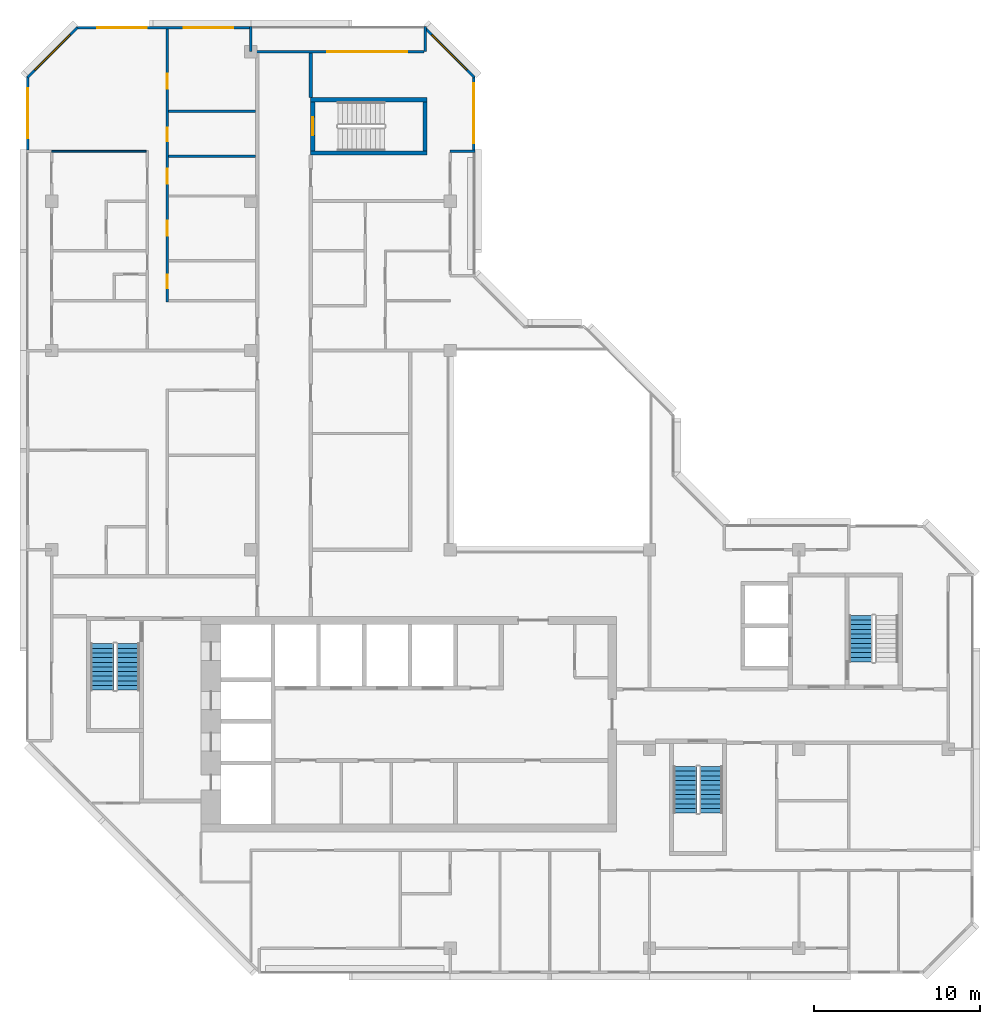
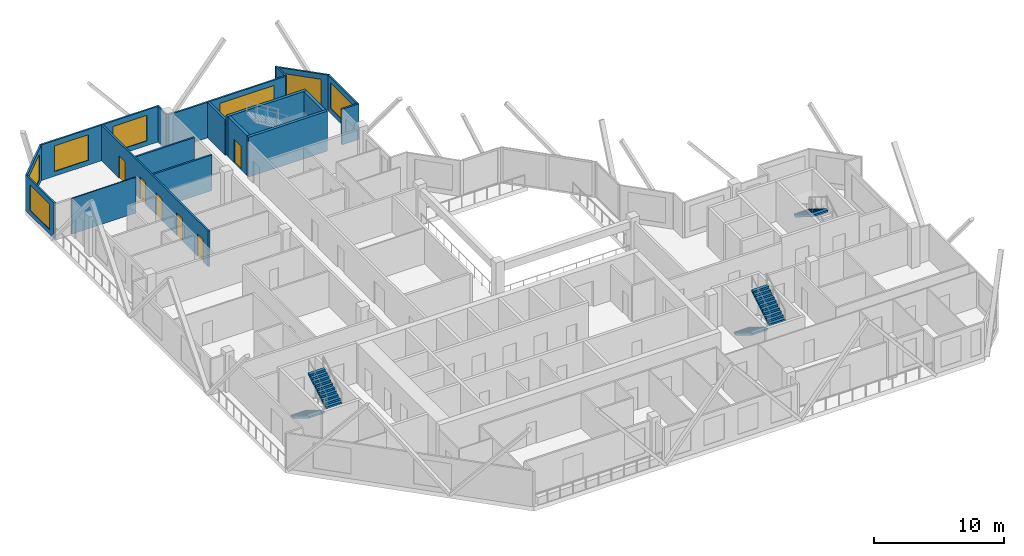
# One storey, part 9 of 12: 18 walls, 7 windows, 6 doors, 5 stair flights, 13 openings, 3 elements without a shape of their own.
"""IFC4 building model written with IfcOpenShell, lengths in metres."""

import ifcopenshell
import ifcopenshell.guid

model = None  # the IFC model being written
_history = None  # IfcOwnerHistory: only IFC2X3 demands one
_inside = {}  # id of a spatial element -> (the spatial element, [elements in it])
_under = {}  # id of a project, library or spatial element -> (it, [spatial elements below it])
_declared = {}  # id of a project -> (the project, [libraries it declares])
_typed = {}  # id of a type object -> (the type object, [elements of that type])
_made_of = {}  # id of a material, layer set ... -> (it, [elements and type objects made of it])


def new_model(schema):
    """Start an empty IFC model of exactly this schema.

    Asked for "IFC4X3", IfcOpenShell would pick the latest addendum, in which some entities
    have other attributes; the version numbers below select the first issue.
    IFC2X3 requires an IfcOwnerHistory on every rooted entity: one is made here for all.
    """
    global model, _history
    if schema == "IFC4X3":
        model = ifcopenshell.file(schema_version=(4, 3, 0, 0))
    else:
        model = ifcopenshell.file(schema=schema)
    _inside.clear()
    _under.clear()
    _declared.clear()
    _typed.clear()
    _made_of.clear()
    _history = None
    if model.schema == "IFC2X3":
        org = make("IfcOrganization", Name="unknown")
        user = make(
            "IfcPersonAndOrganization",
            ThePerson=make("IfcPerson", FamilyName="unknown"),
            TheOrganization=org,
        )
        app = make(
            "IfcApplication",
            ApplicationDeveloper=org,
            Version="unknown",
            ApplicationFullName="unknown",
            ApplicationIdentifier="unknown",
        )
        _history = make(
            "IfcOwnerHistory",
            OwningUser=user,
            OwningApplication=app,
            ChangeAction="ADDED",
            CreationDate=0,
        )
    return model


def make(cls, **values):
    """One entity of the class cls with the attributes given. An attribute that is None is left unset."""
    return model.create_entity(
        cls, **{name: value for name, value in values.items() if value is not None}
    )


def rooted(cls, **values):
    """An entity with a GlobalId (a new one), such as an element, a storey or a relation."""
    return make(cls, GlobalId=ifcopenshell.guid.new(), OwnerHistory=_history, **values)


def si_unit(unit_type, name, prefix=None):
    """IfcSIUnit, for example si_unit("LENGTHUNIT", "METRE", prefix="MILLI")."""
    return make("IfcSIUnit", UnitType=unit_type, Prefix=prefix, Name=name)


def assignment(units):
    """IfcUnitAssignment: the units of a project."""
    return None if units is None else make("IfcUnitAssignment", Units=units)


def point(xyz):
    """IfcCartesianPoint."""
    return None if xyz is None else make("IfcCartesianPoint", Coordinates=xyz)


def direction(xyz):
    """IfcDirection."""
    return None if xyz is None else make("IfcDirection", DirectionRatios=xyz)


def frame(location, z_axis=None, x_axis=None):
    """IfcAxis2Placement3D, a coordinate frame: its origin and axes. An axis left out is left unset."""
    return make(
        "IfcAxis2Placement3D",
        Location=point(location),
        Axis=direction(z_axis),
        RefDirection=direction(x_axis),
    )


def frame_2d(location, x_axis=None):
    """IfcAxis2Placement2D, a coordinate frame in the plane: its origin and x axis."""
    return make(
        "IfcAxis2Placement2D", Location=point(location), RefDirection=direction(x_axis)
    )


def origin():
    """The frame at (0, 0, 0) with its axes left unset."""
    return frame((0.0, 0.0, 0.0))


def place(relative_to, where):
    """IfcLocalPlacement: puts the frame where relative to a parent placement (None: the world)."""
    return make(
        "IfcLocalPlacement", PlacementRelTo=relative_to, RelativePlacement=where
    )


def context(
    kind, dimensions, precision=None, world=None, true_north=None, identifier=None
):
    """IfcGeometricRepresentationContext, for example the 3D "Model" context."""
    return make(
        "IfcGeometricRepresentationContext",
        ContextIdentifier=identifier,
        ContextType=kind,
        CoordinateSpaceDimension=dimensions,
        Precision=precision,
        WorldCoordinateSystem=world,
        TrueNorth=true_north,
    )


def subcontext(parent, identifier, kind, view, scale=None):
    """IfcGeometricRepresentationSubContext, for example "Body" below "Model"."""
    return make(
        "IfcGeometricRepresentationSubContext",
        ContextIdentifier=identifier,
        ContextType=kind,
        ParentContext=parent,
        TargetScale=scale,
        TargetView=view,
    )


def project(units=None, contexts=None):
    """IfcProject with its units and contexts."""
    return rooted(
        "IfcProject",
        Name="project",
        RepresentationContexts=contexts,
        UnitsInContext=assignment(units),
    )


def spatial(cls, under=None, at=None, **own):
    """A site, building, storey or space (cls), placed at a placement, below another one or the project."""
    s = rooted(cls, ObjectPlacement=at, **own)
    if under is not None:
        _under.setdefault(under.id(), (under, []))[1].append(s)
    return s


def polyline(points):
    """IfcPolyline through the points."""
    return make("IfcPolyline", Points=[point(p) for p in points])


def profile(cls, at=None, kind="AREA", **sizes):
    """A parametric profile (cls). Its sizes go by their IFC names, for example OverallWidth=200.0."""
    return make(cls, ProfileType=kind, Position=at, **sizes)


def rectangle(**sizes):
    """IfcRectangleProfileDef."""
    return profile("IfcRectangleProfileDef", **sizes)


def outline(outer, holes=None, kind="AREA"):
    """IfcArbitraryClosedProfileDef: a profile drawn as a closed curve; with holes, ...WithVoids."""
    if holes is None:
        return make("IfcArbitraryClosedProfileDef", ProfileType=kind, OuterCurve=outer)
    return make(
        "IfcArbitraryProfileDefWithVoids",
        ProfileType=kind,
        OuterCurve=outer,
        InnerCurves=holes,
    )


def extrude(swept, where, along, depth):
    """IfcExtrudedAreaSolid: the profile swept, set in the frame where, extruded along a direction by depth."""
    return make(
        "IfcExtrudedAreaSolid",
        SweptArea=swept,
        Position=where,
        ExtrudedDirection=direction(along),
        Depth=depth,
    )


def shape(context_of_items, identifier, shape_type, items):
    """IfcShapeRepresentation: the items that make up one representation, for example the "Body"."""
    return make(
        "IfcShapeRepresentation",
        ContextOfItems=context_of_items,
        RepresentationIdentifier=identifier,
        RepresentationType=shape_type,
        Items=items,
    )


def material(Name=None, Category=None):
    """IfcMaterial."""
    return make("IfcMaterial", Name=Name, Category=Category)


def layer(
    of_material, thickness, ventilated=None, Name=None, Category=None, Priority=None
):
    """IfcMaterialLayer: one layer of a wall or slab, of a material (None: an air gap)."""
    return make(
        "IfcMaterialLayer",
        Material=of_material,
        LayerThickness=thickness,
        IsVentilated=ventilated,
        Name=Name,
        Category=Category,
        Priority=Priority,
    )


def layer_set(layers, Name=None):
    """IfcMaterialLayerSet."""
    return make("IfcMaterialLayerSet", MaterialLayers=layers, LayerSetName=Name)


def made_of(thing, what):
    """Note that an element or type object is made of a material, layer set ...; save() writes the relation."""
    if what is not None:
        _made_of.setdefault(what.id(), (what, []))[1].append(thing)
    return thing


def type_object(cls, material=None, **own):
    """A type object (cls), such as IfcWallType, which elements share."""
    return made_of(rooted(cls, **own), material)


def element(
    cls,
    number,
    at=None,
    inside=None,
    cuts=None,
    type_object=None,
    material=None,
    context=None,
    identifier="Body",
    shape_type=None,
    held_by="IfcProductDefinitionShape",
    body=None,
    shapes=None,
    **own,
):
    """One element of the class cls, such as IfcWall. Its Tag is "e" and its number.

    at: its placement. inside: the storey or other place that contains it. cuts: it is an
    opening in that element (IfcRelVoidsElement). A single representation is given by context,
    identifier, shape_type and body (its items); several are given by shapes. held_by: the class
    of the entity that holds the representations. save() writes the other relations.
    """
    e = rooted(cls, Tag="e%d" % number, ObjectPlacement=at, **own)
    if body is not None:
        shapes = [shape(context, identifier, shape_type, body)]
    if shapes is not None:
        e.Representation = make(held_by, Representations=shapes)
    if inside is not None:
        _inside.setdefault(inside.id(), (inside, []))[1].append(e)
    if cuts is not None:
        rooted(
            "IfcRelVoidsElement", RelatingBuildingElement=cuts, RelatedOpeningElement=e
        )
    if type_object is not None:
        _typed.setdefault(type_object.id(), (type_object, []))[1].append(e)
    return made_of(e, material)


def fill(opening, filler):
    """IfcRelFillsElement: the door or window that sits in an opening."""
    return rooted(
        "IfcRelFillsElement",
        RelatingOpeningElement=opening,
        RelatedBuildingElement=filler,
    )


def aggregate(whole, parts):
    """IfcRelAggregates: a whole, such as a stair, and the parts it consists of."""
    return rooted("IfcRelAggregates", RelatingObject=whole, RelatedObjects=parts)


def save(model, path):
    """Write the relations noted so far, then the file.

    IfcRelAggregates (storeys below a building ...), IfcRelContainedInSpatialStructure (elements
    in a storey), IfcRelDefinesByType, IfcRelAssociatesMaterial and IfcRelDeclares: one each for
    every whole, place, type object, material and project.
    """
    for whole, parts in _under.values():
        aggregate(whole, parts)
    for where, things in _inside.values():
        rooted(
            "IfcRelContainedInSpatialStructure",
            RelatedElements=things,
            RelatingStructure=where,
        )
    for kind, things in _typed.values():
        rooted("IfcRelDefinesByType", RelatedObjects=things, RelatingType=kind)
    for what, things in _made_of.values():
        rooted("IfcRelAssociatesMaterial", RelatedObjects=things, RelatingMaterial=what)
    for by, libraries in _declared.values():
        rooted("IfcRelDeclares", RelatingContext=by, RelatedDefinitions=libraries)
    model.write(path)


model = new_model("IFC4")

# Units and contexts
model_context = context("Model", 3, precision=1e-05, world=origin(), true_north=direction((0.0, 1.0)))
body_context = subcontext(model_context, "Body", "Model", "MODEL_VIEW")
ifc_project = project(units=[si_unit("LENGTHUNIT", "METRE"), si_unit("AREAUNIT", "SQUARE_METRE"), si_unit("VOLUMEUNIT", "CUBIC_METRE"), si_unit("PLANEANGLEUNIT", "RADIAN"), si_unit("MASSUNIT", "GRAM", prefix="KILO")], contexts=[model_context])

# Site, building, storey
site_placement = place(None, origin())
site = spatial("IfcSite", under=ifc_project, at=site_placement, CompositionType="ELEMENT")
building_placement = place(site_placement, origin())
building = spatial("IfcBuilding", under=site, at=building_placement, Name="Chenar Terraces", CompositionType="ELEMENT")
storey_placement = place(building_placement, frame((0.0, 0.0, 346.39990234375)))
storey = spatial("IfcBuildingStorey", under=building, at=storey_placement, Name="L80", CompositionType="ELEMENT", Elevation=346.39990234375)

# Walls
ifc_material_1 = material(Name="Concrete C50/60", Category="concrete")
ifc_layer_1 = layer(ifc_material_1, 0.25)
ifc_layer_set_1 = layer_set([ifc_layer_1], Name="Concrete C50/60")
wall_type_1 = type_object("IfcWallType", Name="Core wall 250 Concrete C50/60", PredefinedType="SHEAR", material=ifc_layer_set_1)
for number, where, z_axis, x_axis, name in (
    (1, (15.60009765625, 47.89990234375, 0.0), (0.0, 0.0, 1.0), (1.0, 0.0, 0.0), "Core wall ST4_S L80"),
    (2, (15.60009765625, 51.10009765625, 0.0), (0.0, 0.0, 1.0), (1.0, 0.0, 0.0), "Core wall ST4_N L80"),
):
    element("IfcWall", number, at=place(storey_placement, frame(where, z_axis=z_axis, x_axis=x_axis)), inside=storey, type_object=wall_type_1, Name=name, PredefinedType="SHEAR", context=body_context, shape_type="SweptSolid", body=[
        extrude(rectangle(XDim=7.0, YDim=0.25, at=frame_2d((3.5, 0.0))), origin(), (0.0, 0.0, 1.0), 3.75),
    ])

# Wall, opening, door
wall_1_placement = place(storey_placement, frame((15.72509765625, 48.02490234375, 0.0), z_axis=(0.0, 0.0, 1.0), x_axis=(0.0, 1.0, 0.0)))
wall_1 = element("IfcWall", 3, at=wall_1_placement, inside=storey, type_object=wall_type_1, Name="Core wall ST4_W L80", PredefinedType="SHEAR", context=body_context, shape_type="SweptSolid", body=[
    extrude(rectangle(XDim=2.9501953125, YDim=0.25, at=frame_2d((1.47509765625, 0.0))), origin(), (0.0, 0.0, 1.0), 3.75),
])
opening_1_placement = place(wall_1_placement, frame((0.925048828125, 0.0, 0.0)))
opening_1 = element("IfcOpeningElement", 4, at=opening_1_placement, cuts=wall_1, Name="Opening DL80-C9", PredefinedType="OPENING", context=body_context, shape_type="SweptSolid", body=[
    extrude(rectangle(XDim=1.10009765625, YDim=2.199951171875, at=frame_2d((0.550048828125, 1.10009765625))), frame((0.0, 0.135009765625, 0.0), z_axis=(0.0, -1.0, 0.0), x_axis=(1.0, 0.0, 0.0)), (0.0, 0.0, 1.0), 0.27001953125),
])
ifc_material_2 = material(Name="Steel-framed fire-resisting door leaf", Category="steel")
door_type_1 = type_object("IfcDoorType", Name="Stair fire door FD60 1100 x 2200", OperationType="SINGLE_SWING_LEFT", PredefinedType="DOOR", material=ifc_material_2)
door_1_placement = place(opening_1_placement, frame((1.10009765625, 0.0, 0.0), z_axis=(0.0, 0.0, 1.0), x_axis=(-1.0, 0.0, 0.0)))
door_1 = element("IfcDoor", 5, at=door_1_placement, inside=storey, type_object=door_type_1, Name="Stair door DL80-C9", OperationType="SINGLE_SWING_RIGHT", OverallHeight=2.199951171875, OverallWidth=1.10009765625, PredefinedType="DOOR", context=body_context, shape_type="SweptSolid", body=[
    extrude(rectangle(XDim=1.10009765625, YDim=2.199951171875, at=frame_2d((0.550048828125, 1.10009765625))), frame((0.0, 0.02490234375, 0.0), z_axis=(0.0, -1.0, 0.0), x_axis=(1.0, 0.0, 0.0)), (0.0, 0.0, 1.0), 0.050048828125),
])
fill(opening_1, door_1)

# Walls
wall_2_placement = place(storey_placement, frame((22.47509765625, 48.02490234375, 0.0), z_axis=(0.0, 0.0, 1.0), x_axis=(0.0, 1.0, 0.0)))
element("IfcWall", 6, at=wall_2_placement, inside=storey, type_object=wall_type_1, Name="Core wall ST4_E L80", PredefinedType="SHEAR", context=body_context, shape_type="SweptSolid", body=[
    extrude(rectangle(XDim=2.9501953125, YDim=0.25, at=frame_2d((1.47509765625, 0.0))), origin(), (0.0, 0.0, 1.0), 3.75),
])
ifc_material_3 = material(Name="Gypsum board on steel studs with fire boards", Category="steel")
ifc_layer_2 = layer(ifc_material_3, 0.199951171875)
ifc_layer_set_2 = layer_set([ifc_layer_2], Name="Gypsum board on steel studs with fire boards")
wall_type_2 = type_object("IfcWallType", Name="Corridor wall 200", PredefinedType="PARTITIONING", material=ifc_layer_set_2)
wall_3_placement = place(storey_placement, frame((15.60009765625, 51.22509765625, 0.0), z_axis=(0.0, 0.0, 1.0), x_axis=(0.0, 1.0, 0.0)))
element("IfcWall", 7, at=wall_3_placement, inside=storey, type_object=wall_type_2, Name="Partition L80-032", PredefinedType="PARTITIONING", context=body_context, shape_type="SweptSolid", body=[
    extrude(rectangle(XDim=2.700927734375, YDim=0.199951171875, at=frame_2d((1.3505859375, 0.0))), origin(), (0.0, 0.0, 1.0), 3.35009765625),
])

# Wall, opening, window
ifc_material_4 = material(Name="Aluminium framed glazing", Category="aluminium")
ifc_layer_3 = layer(ifc_material_4, 0.14990234375)
ifc_layer_set_3 = layer_set([ifc_layer_3], Name="Aluminium framed glazing")
wall_type_3 = type_object("IfcWallType", Name="Glazed flush facade wall 150", PredefinedType="SOLIDWALL", material=ifc_layer_set_3)
wall_4_placement = place(storey_placement, frame((25.425048828125, 48.074951171875, 0.0), z_axis=(0.0, 0.0, 1.0), x_axis=(0.0, 1.0, 0.0)))
wall_4 = element("IfcWall", 8, at=wall_4_placement, inside=storey, type_object=wall_type_3, Name="Glazed flush facade wall", PredefinedType="SOLIDWALL", context=body_context, shape_type="SweptSolid", body=[
    extrude(rectangle(XDim=4.425048828125, YDim=0.14990234375, at=frame_2d((2.21240234375, 0.0))), origin(), (0.0, 0.0, 1.0), 3.35009765625),
])
opening_2_placement = place(wall_4_placement, frame((0.41259765625, 0.0, 0.449951171875)))
opening_2 = element("IfcOpeningElement", 9, at=opening_2_placement, cuts=wall_4, Name="Opening W360x240", PredefinedType="OPENING", context=body_context, shape_type="SweptSolid", body=[
    extrude(rectangle(XDim=3.60009765625, YDim=2.39990234375, at=frame_2d((1.800048828125, 1.199951171875))), frame((0.0, 0.0849609375, 0.0), z_axis=(0.0, -1.0, 0.0), x_axis=(1.0, 0.0, 0.0)), (0.0, 0.0, 1.0), 0.169921875),
])
ifc_material_5 = material(Name="Low emissivity double glazing, aluminium frame", Category="aluminium")
window_type_1 = type_object("IfcWindowType", Name="Fixed light 3600 x 2400", PartitioningType="SINGLE_PANEL", PredefinedType="WINDOW", material=ifc_material_5)
window_1_placement = place(opening_2_placement, origin())
window_1 = element("IfcWindow", 10, at=window_1_placement, inside=storey, type_object=window_type_1, Name="Window", OverallHeight=2.39990234375, OverallWidth=3.60009765625, PartitioningType="SINGLE_PANEL", PredefinedType="WINDOW", context=body_context, shape_type="SweptSolid", body=[
    extrude(rectangle(XDim=3.60009765625, YDim=2.39990234375, at=frame_2d((1.800048828125, 1.199951171875))), frame((0.0, 0.030029296875, 0.0), z_axis=(0.0, -1.0, 0.0), x_axis=(1.0, 0.0, 0.0)), (0.0, 0.0, 1.0), 0.06005859375),
])
fill(opening_2, window_1)

# Wall, openings, windows
wall_5_placement = place(storey_placement, frame((11.925048828125, 55.425048828125, 0.0), z_axis=(0.0, 0.0, 1.0), x_axis=(-1.0, 0.0, 0.0)))
wall_5 = element("IfcWall", 11, at=wall_5_placement, inside=storey, type_object=wall_type_3, Name="Glazed flush facade wall", PredefinedType="SOLIDWALL", context=body_context, shape_type="SweptSolid", body=[
    extrude(rectangle(XDim=10.425048828125, YDim=0.14990234375, at=frame_2d((5.21240234375, 0.0))), origin(), (0.0, 0.0, 1.0), 3.35009765625),
])
opening_3_placement = place(wall_5_placement, frame((0.97509765625, 0.0, 0.449951171875)))
opening_3 = element("IfcOpeningElement", 12, at=opening_3_placement, cuts=wall_5, Name="Opening W300x240", PredefinedType="OPENING", context=body_context, shape_type="SweptSolid", body=[
    extrude(rectangle(XDim=3.0, YDim=2.39990234375, at=frame_2d((1.5, 1.199951171875))), frame((0.0, 0.0849609375, 0.0), z_axis=(0.0, -1.0, 0.0), x_axis=(1.0, 0.0, 0.0)), (0.0, 0.0, 1.0), 0.169921875),
])
opening_4_placement = place(wall_5_placement, frame((6.1875, 0.0, 0.449951171875)))
opening_4 = element("IfcOpeningElement", 13, at=opening_4_placement, cuts=wall_5, Name="Opening W300x240", PredefinedType="OPENING", context=body_context, shape_type="SweptSolid", body=[
    extrude(rectangle(XDim=3.0, YDim=2.39990234375, at=frame_2d((1.5, 1.199951171875))), frame((0.0, 0.0849609375, 0.0), z_axis=(0.0, -1.0, 0.0), x_axis=(1.0, 0.0, 0.0)), (0.0, 0.0, 1.0), 0.169921875),
])
ifc_material_6 = material(Name="Low emissivity double glazing, aluminium frame", Category="aluminium")
window_type_2 = type_object("IfcWindowType", Name="Fixed light 3000 x 2400", PartitioningType="SINGLE_PANEL", PredefinedType="WINDOW", material=ifc_material_6)
window_2_placement = place(opening_3_placement, origin())
window_2 = element("IfcWindow", 14, at=window_2_placement, inside=storey, type_object=window_type_2, Name="Window", OverallHeight=2.39990234375, OverallWidth=3.0, PartitioningType="SINGLE_PANEL", PredefinedType="WINDOW", context=body_context, shape_type="SweptSolid", body=[
    extrude(rectangle(XDim=3.0, YDim=2.39990234375, at=frame_2d((1.5, 1.199951171875))), frame((0.0, 0.030029296875, 0.0), z_axis=(0.0, -1.0, 0.0), x_axis=(1.0, 0.0, 0.0)), (0.0, 0.0, 1.0), 0.06005859375),
])
fill(opening_3, window_2)
window_3_placement = place(opening_4_placement, origin())
window_3 = element("IfcWindow", 15, at=window_3_placement, inside=storey, type_object=window_type_2, Name="Window", OverallHeight=2.39990234375, OverallWidth=3.0, PartitioningType="SINGLE_PANEL", PredefinedType="WINDOW", context=body_context, shape_type="SweptSolid", body=[
    extrude(rectangle(XDim=3.0, YDim=2.39990234375, at=frame_2d((1.5, 1.199951171875))), frame((0.0, 0.030029296875, 0.0), z_axis=(0.0, -1.0, 0.0), x_axis=(1.0, 0.0, 0.0)), (0.0, 0.0, 1.0), 0.06005859375),
])
fill(opening_4, window_3)

# Wall, opening, window
wall_6_placement = place(storey_placement, frame((-1.425048828125, 52.5, 0.0), z_axis=(0.0, 0.0, 1.0), x_axis=(0.0, -1.0, 0.0)))
wall_6 = element("IfcWall", 16, at=wall_6_placement, inside=storey, type_object=wall_type_3, Name="Glazed flush facade wall", PredefinedType="SOLIDWALL", context=body_context, shape_type="SweptSolid", body=[
    extrude(rectangle(XDim=4.425048828125, YDim=0.14990234375, at=frame_2d((2.21240234375, 0.0))), origin(), (0.0, 0.0, 1.0), 3.35009765625),
])
opening_5_placement = place(wall_6_placement, frame((0.71240234375, 0.0, 0.449951171875)))
opening_5 = element("IfcOpeningElement", 17, at=opening_5_placement, cuts=wall_6, Name="Opening W300x240", PredefinedType="OPENING", context=body_context, shape_type="SweptSolid", body=[
    extrude(rectangle(XDim=3.0, YDim=2.39990234375, at=frame_2d((1.5, 1.199951171875))), frame((0.0, 0.0849609375, 0.0), z_axis=(0.0, -1.0, 0.0), x_axis=(1.0, 0.0, 0.0)), (0.0, 0.0, 1.0), 0.169921875),
])
window_4_placement = place(opening_5_placement, origin())
window_4 = element("IfcWindow", 18, at=window_4_placement, inside=storey, type_object=window_type_2, Name="Window", OverallHeight=2.39990234375, OverallWidth=3.0, PartitioningType="SINGLE_PANEL", PredefinedType="WINDOW", context=body_context, shape_type="SweptSolid", body=[
    extrude(rectangle(XDim=3.0, YDim=2.39990234375, at=frame_2d((1.5, 1.199951171875))), frame((0.0, 0.030029296875, 0.0), z_axis=(0.0, -1.0, 0.0), x_axis=(1.0, 0.0, 0.0)), (0.0, 0.0, 1.0), 0.06005859375),
])
fill(opening_5, window_4)

ifc_material_7 = material(Name="Aluminium framed glazing", Category="aluminium")
ifc_layer_4 = layer(ifc_material_7, 0.14990234375)
ifc_layer_set_4 = layer_set([ifc_layer_4], Name="Aluminium framed glazing")
wall_type_4 = type_object("IfcWallType", Name="Glazed loggia back wall 150", PredefinedType="SOLIDWALL", material=ifc_layer_set_4)
wall_7_placement = place(storey_placement, frame((22.425048828125, 54.0, 0.0), z_axis=(0.0, 0.0, 1.0), x_axis=(-1.0, 0.0, 0.0)))
wall_7 = element("IfcWall", 19, at=wall_7_placement, inside=storey, type_object=wall_type_4, Name="Glazed loggia back wall", PredefinedType="SOLIDWALL", context=body_context, shape_type="SweptSolid", body=[
    extrude(rectangle(XDim=10.35009765625, YDim=0.14990234375, at=frame_2d((5.175048828125, 0.0))), origin(), (0.0, 0.0, 1.0), 3.35009765625),
])
opening_6_placement = place(wall_7_placement, frame((1.012451171875, 0.0, 0.449951171875)))
opening_6 = element("IfcOpeningElement", 20, at=opening_6_placement, cuts=wall_7, Name="Opening W480x240", PredefinedType="OPENING", context=body_context, shape_type="SweptSolid", body=[
    extrude(rectangle(XDim=4.800048828125, YDim=2.39990234375, at=frame_2d((2.39990234375, 1.199951171875))), frame((0.0, 0.0849609375, 0.0), z_axis=(0.0, -1.0, 0.0), x_axis=(1.0, 0.0, 0.0)), (0.0, 0.0, 1.0), 0.169921875),
])
ifc_material_8 = material(Name="Low emissivity double glazing, aluminium frame", Category="aluminium")
window_type_3 = type_object("IfcWindowType", Name="Fixed light 4800 x 2400", PartitioningType="SINGLE_PANEL", PredefinedType="WINDOW", material=ifc_material_8)
window_5_placement = place(opening_6_placement, origin())
window_5 = element("IfcWindow", 21, at=window_5_placement, inside=storey, type_object=window_type_3, Name="Window", OverallHeight=2.39990234375, OverallWidth=4.800048828125, PartitioningType="SINGLE_PANEL", PredefinedType="WINDOW", context=body_context, shape_type="SweptSolid", body=[
    extrude(rectangle(XDim=4.800048828125, YDim=2.39990234375, at=frame_2d((2.39990234375, 1.199951171875))), frame((0.0, 0.030029296875, 0.0), z_axis=(0.0, -1.0, 0.0), x_axis=(1.0, 0.0, 0.0)), (0.0, 0.0, 1.0), 0.06005859375),
])
fill(opening_6, window_5)

# Walls
ifc_material_9 = material(Name="Gypsum board on steel studs", Category="steel")
ifc_layer_5 = layer(ifc_material_9, 0.10009765625)
ifc_layer_set_5 = layer_set([ifc_layer_5], Name="Gypsum board on steel studs")
wall_type_5 = type_object("IfcWallType", Name="Gypsum partition 100", PredefinedType="PARTITIONING", material=ifc_layer_set_5)
wall_8_placement = place(storey_placement, frame((0.0, 48.0, 0.0), z_axis=(0.0, 0.0, 1.0), x_axis=(1.0, 0.0, 0.0)))
element("IfcWall", 22, at=wall_8_placement, inside=storey, type_object=wall_type_5, Name="Partition L80-003", PredefinedType="PARTITIONING", context=body_context, shape_type="SweptSolid", body=[
    extrude(rectangle(XDim=5.699951171875, YDim=0.10009765625, at=frame_2d((2.85009765625, 0.0))), origin(), (0.0, 0.0, 1.0), 3.35009765625),
])
ifc_material_10 = material(Name="Terracotta cladding on insulated backing", Category="masonry")
ifc_layer_6 = layer(ifc_material_10, 0.14990234375)
ifc_layer_set_6 = layer_set([ifc_layer_6], Name="Terracotta cladding on insulated backing")
wall_type_6 = type_object("IfcWallType", Name="Loggia return wall 150", PredefinedType="SOLIDWALL", material=ifc_layer_set_6)
for number, where, z_axis, x_axis, name in (
    (23, (25.5, 48.0, 0.0), (0.0, 0.0, 1.0), (-1.0, 0.0, 0.0), "Loggia return wall"),
    (24, (22.5, 55.5, 0.0), (0.0, 0.0, 1.0), (0.0, -1.0, 0.0), "Loggia return wall"),
    (25, (12.0, 55.5, 0.0), (0.0, 0.0, 1.0), (0.0, -1.0, 0.0), "Loggia return wall"),
):
    element("IfcWall", number, at=place(storey_placement, frame(where, z_axis=z_axis, x_axis=x_axis)), inside=storey, type_object=wall_type_6, Name=name, PredefinedType="SOLIDWALL", context=body_context, shape_type="SweptSolid", body=[
        extrude(rectangle(XDim=1.5, YDim=0.14990234375, at=frame_2d((0.75, 0.0))), origin(), (0.0, 0.0, 1.0), 3.35009765625),
    ])

# Wall, opening, window
ifc_material_11 = material(Name="Terracotta cladding on insulated backing", Category="masonry")
ifc_layer_7 = layer(ifc_material_11, 0.14990234375)
ifc_layer_set_7 = layer_set([ifc_layer_7], Name="Terracotta cladding on insulated backing")
wall_type_7 = type_object("IfcWallType", Name="Terracotta rainscreen wall 150", PredefinedType="SOLIDWALL", material=ifc_layer_set_7)
wall_9_placement = place(storey_placement, frame((25.447021484375, 52.447021484375, 0.0), z_axis=(0.0, 0.0, 1.0), x_axis=(-0.707106781187, 0.707106781187, 0.0)))
wall_9 = element("IfcWall", 26, at=wall_9_placement, inside=storey, type_object=wall_type_7, Name="Terracotta rainscreen wall", PredefinedType="SOLIDWALL", context=body_context, shape_type="SweptSolid", body=[
    extrude(rectangle(XDim=4.24267578125, YDim=0.14990234375, at=frame_2d((2.121337890625, 0.0))), origin(), (0.0, 0.0, 1.0), 3.35009765625),
])
opening_7_placement = place(wall_9_placement, frame((0.621337890625, 0.0, 0.449951171875)))
opening_7 = element("IfcOpeningElement", 27, at=opening_7_placement, cuts=wall_9, Name="Opening W300x240", PredefinedType="OPENING", context=body_context, shape_type="SweptSolid", body=[
    extrude(rectangle(XDim=3.0, YDim=2.39990234375, at=frame_2d((1.5, 1.199951171875))), frame((0.0, 0.0849609375, 0.0), z_axis=(0.0, -1.0, 0.0), x_axis=(1.0, 0.0, 0.0)), (0.0, 0.0, 1.0), 0.169921875),
])
window_6_placement = place(opening_7_placement, origin())
window_6 = element("IfcWindow", 28, at=window_6_placement, inside=storey, type_object=window_type_2, Name="Window", OverallHeight=2.39990234375, OverallWidth=3.0, PartitioningType="SINGLE_PANEL", PredefinedType="WINDOW", context=body_context, shape_type="SweptSolid", body=[
    extrude(rectangle(XDim=3.0, YDim=2.39990234375, at=frame_2d((1.5, 1.199951171875))), frame((0.0, 0.030029296875, 0.0), z_axis=(0.0, -1.0, 0.0), x_axis=(1.0, 0.0, 0.0)), (0.0, 0.0, 1.0), 0.06005859375),
])
fill(opening_7, window_6)

wall_10_placement = place(storey_placement, frame((1.552978515625, 55.447021484375, 0.0), z_axis=(0.0, 0.0, 1.0), x_axis=(-0.707106781187, -0.707106781187, 0.0)))
wall_10 = element("IfcWall", 29, at=wall_10_placement, inside=storey, type_object=wall_type_7, Name="Terracotta rainscreen wall", PredefinedType="SOLIDWALL", context=body_context, shape_type="SweptSolid", body=[
    extrude(rectangle(XDim=4.24267578125, YDim=0.14990234375, at=frame_2d((2.121337890625, 0.0))), origin(), (0.0, 0.0, 1.0), 3.35009765625),
])
opening_8_placement = place(wall_10_placement, frame((0.621337890625, 0.0, 0.449951171875)))
opening_8 = element("IfcOpeningElement", 30, at=opening_8_placement, cuts=wall_10, Name="Opening W300x240", PredefinedType="OPENING", context=body_context, shape_type="SweptSolid", body=[
    extrude(rectangle(XDim=3.0, YDim=2.39990234375, at=frame_2d((1.5, 1.199951171875))), frame((0.0, 0.0849609375, 0.0), z_axis=(0.0, -1.0, 0.0), x_axis=(1.0, 0.0, 0.0)), (0.0, 0.0, 1.0), 0.169921875),
])
window_7_placement = place(opening_8_placement, origin())
window_7 = element("IfcWindow", 31, at=window_7_placement, inside=storey, type_object=window_type_2, Name="Window", OverallHeight=2.39990234375, OverallWidth=3.0, PartitioningType="SINGLE_PANEL", PredefinedType="WINDOW", context=body_context, shape_type="SweptSolid", body=[
    extrude(rectangle(XDim=3.0, YDim=2.39990234375, at=frame_2d((1.5, 1.199951171875))), frame((0.0, 0.030029296875, 0.0), z_axis=(0.0, -1.0, 0.0), x_axis=(1.0, 0.0, 0.0)), (0.0, 0.0, 1.0), 0.06005859375),
])
fill(opening_8, window_7)

# Wall, openings, doors
ifc_material_12 = material(Name="Moisture-resistant gypsum board on steel studs", Category="steel")
ifc_layer_8 = layer(ifc_material_12, 0.14990234375)
ifc_layer_set_8 = layer_set([ifc_layer_8], Name="Moisture-resistant gypsum board on steel studs")
wall_type_8 = type_object("IfcWallType", Name="Wet-room partition 150", PredefinedType="PARTITIONING", material=ifc_layer_set_8)
wall_11_placement = place(storey_placement, frame((6.97509765625, 38.925048828125, 0.0), z_axis=(0.0, 0.0, 1.0), x_axis=(0.0, 1.0, 0.0)))
wall_11 = element("IfcWall", 32, at=wall_11_placement, inside=storey, type_object=wall_type_8, Name="Partition L80-018", PredefinedType="PARTITIONING", context=body_context, shape_type="SweptSolid", body=[
    extrude(rectangle(XDim=16.425048828125, YDim=0.14990234375, at=frame_2d((8.21240234375, 0.0))), origin(), (0.0, 0.0, 1.0), 3.35009765625),
])
opening_9_placement = place(wall_11_placement, frame((0.824951171875, 0.0, 0.0)))
opening_9 = element("IfcOpeningElement", 33, at=opening_9_placement, cuts=wall_11, Name="Opening DL80-9", PredefinedType="OPENING", context=body_context, shape_type="SweptSolid", body=[
    extrude(rectangle(XDim=0.800048828125, YDim=2.10009765625, at=frame_2d((0.39990234375, 1.050048828125))), frame((0.0, 0.0849609375, 0.0), z_axis=(0.0, -1.0, 0.0), x_axis=(1.0, 0.0, 0.0)), (0.0, 0.0, 1.0), 0.169921875),
])
opening_10_placement = place(wall_11_placement, frame((12.824951171875, 0.0, 0.0)))
opening_10 = element("IfcOpeningElement", 34, at=opening_10_placement, cuts=wall_11, Name="Opening DL80-13", PredefinedType="OPENING", context=body_context, shape_type="SweptSolid", body=[
    extrude(rectangle(XDim=0.89990234375, YDim=2.10009765625, at=frame_2d((0.449951171875, 1.050048828125))), frame((0.0, 0.0849609375, 0.0), z_axis=(0.0, -1.0, 0.0), x_axis=(1.0, 0.0, 0.0)), (0.0, 0.0, 1.0), 0.169921875),
])
opening_11_placement = place(wall_11_placement, frame((3.97509765625, 0.0, 0.0)))
opening_11 = element("IfcOpeningElement", 35, at=opening_11_placement, cuts=wall_11, Name="Opening DL80-17", PredefinedType="OPENING", context=body_context, shape_type="SweptSolid", body=[
    extrude(rectangle(XDim=0.89990234375, YDim=2.10009765625, at=frame_2d((0.449951171875, 1.050048828125))), frame((0.0, 0.0849609375, 0.0), z_axis=(0.0, -1.0, 0.0), x_axis=(1.0, 0.0, 0.0)), (0.0, 0.0, 1.0), 0.169921875),
])
opening_12_placement = place(wall_11_placement, frame((7.125, 0.0, 0.0)))
opening_12 = element("IfcOpeningElement", 36, at=opening_12_placement, cuts=wall_11, Name="Opening DL80-18", PredefinedType="OPENING", context=body_context, shape_type="SweptSolid", body=[
    extrude(rectangle(XDim=0.89990234375, YDim=2.10009765625, at=frame_2d((0.449951171875, 1.050048828125))), frame((0.0, 0.0849609375, 0.0), z_axis=(0.0, -1.0, 0.0), x_axis=(1.0, 0.0, 0.0)), (0.0, 0.0, 1.0), 0.169921875),
])
opening_13_placement = place(wall_11_placement, frame((9.675048828125, 0.0, 0.0)))
opening_13 = element("IfcOpeningElement", 37, at=opening_13_placement, cuts=wall_11, Name="Opening DL80-19", PredefinedType="OPENING", context=body_context, shape_type="SweptSolid", body=[
    extrude(rectangle(XDim=0.800048828125, YDim=2.10009765625, at=frame_2d((0.39990234375, 1.050048828125))), frame((0.0, 0.0849609375, 0.0), z_axis=(0.0, -1.0, 0.0), x_axis=(1.0, 0.0, 0.0)), (0.0, 0.0, 1.0), 0.169921875),
])
ifc_material_13 = material(Name="Veneered timber door leaf", Category="wood")
door_type_2 = type_object("IfcDoorType", Name="Door 800 x 2100", OperationType="SINGLE_SWING_LEFT", PredefinedType="DOOR", material=ifc_material_13)
door_2_placement = place(opening_9_placement, frame((0.800048828125, 0.0, 0.0), z_axis=(0.0, 0.0, 1.0), x_axis=(-1.0, 0.0, 0.0)))
door_2 = element("IfcDoor", 38, at=door_2_placement, inside=storey, type_object=door_type_2, Name="Door DL80-9", OperationType="SINGLE_SWING_RIGHT", OverallHeight=2.10009765625, OverallWidth=0.800048828125, PredefinedType="DOOR", context=body_context, shape_type="SweptSolid", body=[
    extrude(rectangle(XDim=0.800048828125, YDim=2.10009765625, at=frame_2d((0.39990234375, 1.050048828125))), frame((0.0, 0.02490234375, 0.0), z_axis=(0.0, -1.0, 0.0), x_axis=(1.0, 0.0, 0.0)), (0.0, 0.0, 1.0), 0.050048828125),
])
fill(opening_9, door_2)
door_3_placement = place(opening_13_placement, frame((0.800048828125, 0.0, 0.0), z_axis=(0.0, 0.0, 1.0), x_axis=(-1.0, 0.0, 0.0)))
door_3 = element("IfcDoor", 39, at=door_3_placement, inside=storey, type_object=door_type_2, Name="Door DL80-19", OperationType="SINGLE_SWING_RIGHT", OverallHeight=2.10009765625, OverallWidth=0.800048828125, PredefinedType="DOOR", context=body_context, shape_type="SweptSolid", body=[
    extrude(rectangle(XDim=0.800048828125, YDim=2.10009765625, at=frame_2d((0.39990234375, 1.050048828125))), frame((0.0, 0.02490234375, 0.0), z_axis=(0.0, -1.0, 0.0), x_axis=(1.0, 0.0, 0.0)), (0.0, 0.0, 1.0), 0.050048828125),
])
fill(opening_13, door_3)
ifc_material_14 = material(Name="Veneered timber door leaf", Category="wood")
door_type_3 = type_object("IfcDoorType", Name="Door 900 x 2100", OperationType="SINGLE_SWING_LEFT", PredefinedType="DOOR", material=ifc_material_14)
door_4_placement = place(opening_10_placement, frame((0.89990234375, 0.0, 0.0), z_axis=(0.0, 0.0, 1.0), x_axis=(-1.0, 0.0, 0.0)))
door_4 = element("IfcDoor", 40, at=door_4_placement, inside=storey, type_object=door_type_3, Name="Door DL80-13", OperationType="SINGLE_SWING_RIGHT", OverallHeight=2.10009765625, OverallWidth=0.89990234375, PredefinedType="DOOR", context=body_context, shape_type="SweptSolid", body=[
    extrude(rectangle(XDim=0.89990234375, YDim=2.10009765625, at=frame_2d((0.449951171875, 1.050048828125))), frame((0.0, 0.02490234375, 0.0), z_axis=(0.0, -1.0, 0.0), x_axis=(1.0, 0.0, 0.0)), (0.0, 0.0, 1.0), 0.050048828125),
])
fill(opening_10, door_4)
door_5_placement = place(opening_11_placement, frame((0.89990234375, 0.0, 0.0), z_axis=(0.0, 0.0, 1.0), x_axis=(-1.0, 0.0, 0.0)))
door_5 = element("IfcDoor", 41, at=door_5_placement, inside=storey, type_object=door_type_3, Name="Door DL80-17", OperationType="SINGLE_SWING_LEFT", OverallHeight=2.10009765625, OverallWidth=0.89990234375, PredefinedType="DOOR", context=body_context, shape_type="SweptSolid", body=[
    extrude(rectangle(XDim=0.89990234375, YDim=2.10009765625, at=frame_2d((0.449951171875, 1.050048828125))), frame((0.0, 0.02490234375, 0.0), z_axis=(0.0, -1.0, 0.0), x_axis=(1.0, 0.0, 0.0)), (0.0, 0.0, 1.0), 0.050048828125),
])
fill(opening_11, door_5)
door_6_placement = place(opening_12_placement, frame((0.89990234375, 0.0, 0.0), z_axis=(0.0, 0.0, 1.0), x_axis=(-1.0, 0.0, 0.0)))
door_6 = element("IfcDoor", 42, at=door_6_placement, inside=storey, type_object=door_type_3, Name="Door DL80-18", OperationType="SINGLE_SWING_RIGHT", OverallHeight=2.10009765625, OverallWidth=0.89990234375, PredefinedType="DOOR", context=body_context, shape_type="SweptSolid", body=[
    extrude(rectangle(XDim=0.89990234375, YDim=2.10009765625, at=frame_2d((0.449951171875, 1.050048828125))), frame((0.0, 0.02490234375, 0.0), z_axis=(0.0, -1.0, 0.0), x_axis=(1.0, 0.0, 0.0)), (0.0, 0.0, 1.0), 0.050048828125),
])
fill(opening_12, door_6)

# Walls
for number, where, z_axis, x_axis, name in (
    (43, (7.050048828125, 47.699951171875, 0.0), (0.0, 0.0, 1.0), (1.0, 0.0, 0.0), "Partition L80-024"),
    (44, (7.050048828125, 50.39990234375, 0.0), (0.0, 0.0, 1.0), (1.0, 0.0, 0.0), "Partition L80-025"),
):
    element("IfcWall", number, at=place(storey_placement, frame(where, z_axis=z_axis, x_axis=x_axis)), inside=storey, type_object=wall_type_8, Name=name, PredefinedType="PARTITIONING", context=body_context, shape_type="SweptSolid", body=[
        extrude(rectangle(XDim=5.224853515625, YDim=0.14990234375, at=frame_2d((2.6123046875, 0.0))), origin(), (0.0, 0.0, 1.0), 3.35009765625),
    ])

# Stair, stair flights
ifc_material_15 = material(Name="Reinforced concrete C40/50", Category="concrete")
stair_type = type_object("IfcStairType", Name="Core stair 1400 half-turn", PredefinedType="HALF_TURN_STAIR", material=ifc_material_15)
placement = place(storey_placement, origin())
stair_1 = element("IfcStair", 45, at=placement, inside=storey, type_object=stair_type, Name="L80 Stair 1", PredefinedType="HALF_TURN_STAIR")
ifc_material_16 = material(Name="Reinforced concrete C40/50", Category="concrete")
stair_flight_type = type_object("IfcStairFlightType", Name="Core stair flight 1400", PredefinedType="STRAIGHT", material=ifc_material_16)
stair_flight_1_placement = place(storey_placement, frame((3.050048828125, 18.35009765625, 0.0), z_axis=(0.0, 0.0, 1.0), x_axis=(0.0, -1.0, 0.0)))
stair_flight_1 = element("IfcStairFlight", 46, at=stair_flight_1_placement, type_object=stair_flight_type, Name="ST1 flight 1", NumberOfRisers=11, NumberOfTreads=10, PredefinedType="STRAIGHT", RiserHeight=0.170454545, TreadLength=0.28, context=body_context, shape_type="SweptSolid", body=[
    extrude(outline(polyline([(-0.0029296875, 0.0), (-0.0029296875, 0.17041015625), (0.0, 0.17041015625), (0.280029296875, 0.17041015625), (0.280029296875, 0.3408203125), (0.56005859375, 0.3408203125), (0.56005859375, 0.511474609375), (0.840087890625, 0.511474609375), (0.840087890625, 0.681884765625), (1.1201171875, 0.681884765625), (1.1201171875, 0.852294921875), (1.39990234375, 0.852294921875), (1.39990234375, 1.022705078125), (1.679931640625, 1.022705078125), (1.679931640625, 1.193115234375), (1.9599609375, 1.193115234375), (1.9599609375, 1.363525390625), (2.239990234375, 1.363525390625), (2.239990234375, 1.5341796875), (2.52001953125, 1.5341796875), (2.52001953125, 1.70458984375), (2.800048828125, 1.70458984375), (2.802978515625, 1.70458984375), (2.802978515625, 1.529052734375), (2.800048828125, 1.529052734375), (0.288330078125, 0.0), (-0.0029296875, 0.0)])), frame((0.0, 0.699951171875, 0.0), z_axis=(0.0, -1.0, 0.0), x_axis=(1.0, 0.0, 0.0)), (0.0, 0.0, 1.0), 1.39990234375),
])
stair_flight_2_placement = place(storey_placement, frame((4.60009765625, 15.550048828125, 1.875), z_axis=(0.0, 0.0, 1.0), x_axis=(0.0, 1.0, 0.0)))
stair_flight_2 = element("IfcStairFlight", 47, at=stair_flight_2_placement, type_object=stair_flight_type, Name="ST1 flight 2", NumberOfRisers=11, NumberOfTreads=10, PredefinedType="STRAIGHT", RiserHeight=0.170454545, TreadLength=0.28, context=body_context, shape_type="SweptSolid", body=[
    extrude(outline(polyline([(-0.0029296875, 0.0), (-0.0029296875, 0.17041015625), (0.0, 0.17041015625), (0.280029296875, 0.17041015625), (0.280029296875, 0.3408203125), (0.56005859375, 0.3408203125), (0.56005859375, 0.511474609375), (0.840087890625, 0.511474609375), (0.840087890625, 0.681884765625), (1.1201171875, 0.681884765625), (1.1201171875, 0.852294921875), (1.39990234375, 0.852294921875), (1.39990234375, 1.022705078125), (1.679931640625, 1.022705078125), (1.679931640625, 1.193115234375), (1.9599609375, 1.193115234375), (1.9599609375, 1.363525390625), (2.239990234375, 1.363525390625), (2.239990234375, 1.5341796875), (2.52001953125, 1.5341796875), (2.52001953125, 1.70458984375), (2.800048828125, 1.70458984375), (2.802978515625, 1.70458984375), (2.802978515625, 1.529052734375), (2.800048828125, 1.529052734375), (0.288330078125, 0.0), (-0.0029296875, 0.0)])), frame((0.0, 0.699951171875, 0.0), z_axis=(0.0, -1.0, 0.0), x_axis=(1.0, 0.0, 0.0)), (0.0, 0.0, 1.0), 1.39990234375),
])
aggregate(stair_1, [stair_flight_1, stair_flight_2])

stair_2 = element("IfcStair", 48, at=placement, inside=storey, type_object=stair_type, Name="L80 Stair 2", PredefinedType="HALF_TURN_STAIR")
stair_flight_3_placement = place(storey_placement, frame((38.14990234375, 10.949951171875, 0.0), z_axis=(0.0, 0.0, 1.0), x_axis=(0.0, -1.0, 0.0)))
stair_flight_3 = element("IfcStairFlight", 49, at=stair_flight_3_placement, type_object=stair_flight_type, Name="ST2 flight 1", NumberOfRisers=11, NumberOfTreads=10, PredefinedType="STRAIGHT", RiserHeight=0.170454545, TreadLength=0.28, context=body_context, shape_type="SweptSolid", body=[
    extrude(outline(polyline([(-0.0029296875, 0.0), (-0.0029296875, 0.17041015625), (0.0, 0.17041015625), (0.280029296875, 0.17041015625), (0.280029296875, 0.3408203125), (0.56005859375, 0.3408203125), (0.56005859375, 0.511474609375), (0.840087890625, 0.511474609375), (0.840087890625, 0.681884765625), (1.1201171875, 0.681884765625), (1.1201171875, 0.852294921875), (1.39990234375, 0.852294921875), (1.39990234375, 1.022705078125), (1.679931640625, 1.022705078125), (1.679931640625, 1.193115234375), (1.9599609375, 1.193115234375), (1.9599609375, 1.363525390625), (2.239990234375, 1.363525390625), (2.239990234375, 1.5341796875), (2.52001953125, 1.5341796875), (2.52001953125, 1.70458984375), (2.800048828125, 1.70458984375), (2.802978515625, 1.70458984375), (2.802978515625, 1.529052734375), (2.800048828125, 1.529052734375), (0.288330078125, 0.0), (-0.0029296875, 0.0)])), frame((0.0, 0.699951171875, 0.0), z_axis=(0.0, -1.0, 0.0), x_axis=(1.0, 0.0, 0.0)), (0.0, 0.0, 1.0), 1.39990234375),
])
stair_flight_4_placement = place(storey_placement, frame((39.699951171875, 8.14990234375, 1.875), z_axis=(0.0, 0.0, 1.0), x_axis=(0.0, 1.0, 0.0)))
stair_flight_4 = element("IfcStairFlight", 50, at=stair_flight_4_placement, type_object=stair_flight_type, Name="ST2 flight 2", NumberOfRisers=11, NumberOfTreads=10, PredefinedType="STRAIGHT", RiserHeight=0.170454545, TreadLength=0.28, context=body_context, shape_type="SweptSolid", body=[
    extrude(outline(polyline([(-0.0029296875, 0.0), (-0.0029296875, 0.17041015625), (0.0, 0.17041015625), (0.280029296875, 0.17041015625), (0.280029296875, 0.3408203125), (0.56005859375, 0.3408203125), (0.56005859375, 0.511474609375), (0.840087890625, 0.511474609375), (0.840087890625, 0.681884765625), (1.1201171875, 0.681884765625), (1.1201171875, 0.852294921875), (1.39990234375, 0.852294921875), (1.39990234375, 1.022705078125), (1.679931640625, 1.022705078125), (1.679931640625, 1.193115234375), (1.9599609375, 1.193115234375), (1.9599609375, 1.363525390625), (2.239990234375, 1.363525390625), (2.239990234375, 1.5341796875), (2.52001953125, 1.5341796875), (2.52001953125, 1.70458984375), (2.800048828125, 1.70458984375), (2.802978515625, 1.70458984375), (2.802978515625, 1.529052734375), (2.800048828125, 1.529052734375), (0.288330078125, 0.0), (-0.0029296875, 0.0)])), frame((0.0, 0.699951171875, 0.0), z_axis=(0.0, -1.0, 0.0), x_axis=(1.0, 0.0, 0.0)), (0.0, 0.0, 1.0), 1.39990234375),
])
aggregate(stair_2, [stair_flight_3, stair_flight_4])

# Stair, stair flight
stair_3 = element("IfcStair", 51, at=placement, inside=storey, type_object=stair_type, Name="L80 Stair 3", PredefinedType="HALF_TURN_STAIR")
stair_flight_5_placement = place(storey_placement, frame((48.72509765625, 20.050048828125, 1.875), z_axis=(0.0, 0.0, 1.0), x_axis=(0.0, -1.0, 0.0)))
stair_flight_5 = element("IfcStairFlight", 52, at=stair_flight_5_placement, type_object=stair_flight_type, Name="ST3 flight 2", NumberOfRisers=11, NumberOfTreads=10, PredefinedType="STRAIGHT", RiserHeight=0.170454545, TreadLength=0.28, context=body_context, shape_type="SweptSolid", body=[
    extrude(outline(polyline([(-0.0029296875, 0.0), (-0.0029296875, 0.17041015625), (0.0, 0.17041015625), (0.280029296875, 0.17041015625), (0.280029296875, 0.3408203125), (0.56005859375, 0.3408203125), (0.56005859375, 0.511474609375), (0.840087890625, 0.511474609375), (0.840087890625, 0.681884765625), (1.1201171875, 0.681884765625), (1.1201171875, 0.852294921875), (1.39990234375, 0.852294921875), (1.39990234375, 1.022705078125), (1.679931640625, 1.022705078125), (1.679931640625, 1.193115234375), (1.9599609375, 1.193115234375), (1.9599609375, 1.363525390625), (2.239990234375, 1.363525390625), (2.239990234375, 1.5341796875), (2.52001953125, 1.5341796875), (2.52001953125, 1.70458984375), (2.800048828125, 1.70458984375), (2.802978515625, 1.70458984375), (2.802978515625, 1.529052734375), (2.800048828125, 1.529052734375), (0.288330078125, 0.0), (-0.0029296875, 0.0)])), frame((0.0, 0.699951171875, 0.0), z_axis=(0.0, -1.0, 0.0), x_axis=(1.0, 0.0, 0.0)), (0.0, 0.0, 1.0), 1.39990234375),
])
aggregate(stair_3, [stair_flight_5])

save(model, "model.ifc")
